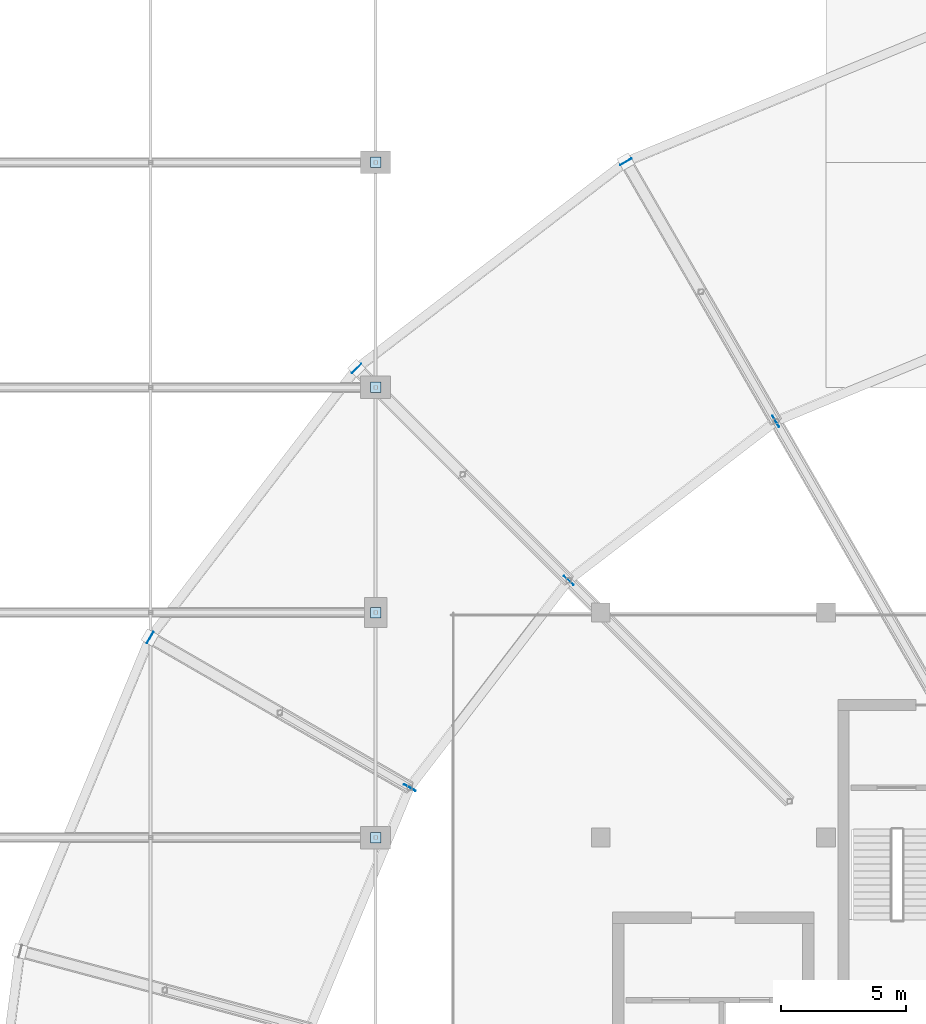
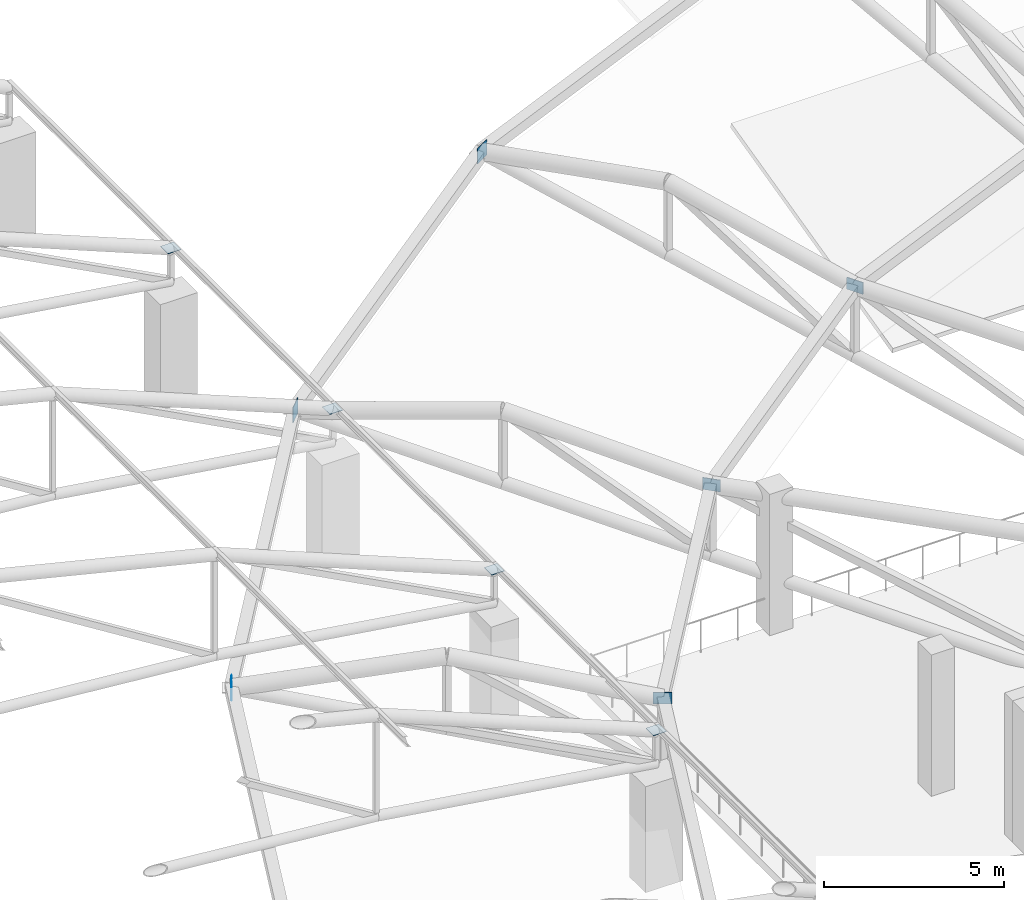
# One storey, part 131 of 167: 10 plates.
"""IFC4 building model written with IfcOpenShell, lengths in metres."""

from ifc_helpers import new_model, si_unit, direction, frame, origin, origin_2d, place, context, subcontext, project, spatial, rectangle, extrude, material, layer, layer_set, type_object, element, save


model = new_model("IFC4")

# Units and contexts
model_context = context("Model", 3, precision=1e-05, world=origin(), true_north=direction((0.0, 1.0)))
body_context = subcontext(model_context, "Body", "Model", "MODEL_VIEW")
ifc_project = project(units=[si_unit("LENGTHUNIT", "METRE"), si_unit("AREAUNIT", "SQUARE_METRE"), si_unit("VOLUMEUNIT", "CUBIC_METRE"), si_unit("PLANEANGLEUNIT", "RADIAN"), si_unit("MASSUNIT", "GRAM", prefix="KILO")], contexts=[model_context])

# Site, building, storey
site_placement = place(None, origin())
site = spatial("IfcSite", under=ifc_project, at=site_placement, CompositionType="ELEMENT")
building_placement = place(site_placement, origin())
building = spatial("IfcBuilding", under=site, at=building_placement, Name="Dornveld Trade and Exhibition Forum", CompositionType="ELEMENT")
storey_placement = place(building_placement, frame((0.0, 0.0, 16.800048828125)))
storey = spatial("IfcBuildingStorey", under=building, at=storey_placement, Name="L03", CompositionType="ELEMENT", Elevation=16.800048828125)

# Plates
ifc_material_1 = material(Name="Steel S355J2", Category="steel")
ifc_layer_1 = layer(ifc_material_1, 0.01611328125)
ifc_layer_set_1 = layer_set([ifc_layer_1], Name="Steel S355J2")
plate_type_1 = type_object("IfcPlateType", Name="PL-CAP-420x16", PredefinedType="SHEET", material=ifc_layer_set_1)
for number, where, z_axis, x_axis, name in (
    (1, (81.0, 99.0, 5.0419921875), (0.0, 0.0, 1.0), (1.0, 0.0, 0.0), "H3 truss 8 hollow end cap 2"),
    (2, (81.0, 108.0, 5.0419921875), (0.0, 0.0, 1.0), (1.0, 0.0, 0.0), "H3 truss 9 hollow end cap 2"),
    (3, (81.0, 117.0, 5.0419921875), (0.0, 0.0, 1.0), (1.0, 0.0, 0.0), "H3 truss 10 hollow end cap 2"),
    (4, (81.0, 126.0, 5.0419921875), (0.0, 0.0, 1.0), (1.0, 0.0, 0.0), "H3 truss 11 hollow end cap 2"),
):
    element("IfcPlate", number, at=place(storey_placement, frame(where, z_axis=z_axis, x_axis=x_axis)), inside=storey, type_object=plate_type_1, Name=name, PredefinedType="SHEET", context=body_context, shape_type="SweptSolid", body=[
        extrude(rectangle(XDim=0.419921875, YDim=0.419921875, at=origin_2d()), origin(), (0.0, 0.0, 1.0), 0.01611328125),
    ])
ifc_material_2 = material(Name="Steel S355J2", Category="steel")
ifc_layer_2 = layer(ifc_material_2, 0.02001953125)
ifc_layer_set_2 = layer_set([ifc_layer_2], Name="Steel S355J2")
plate_type_2 = type_object("IfcPlateType", Name="PL-CAP-520x20", PredefinedType="SHEET", material=ifc_layer_set_2)
for number, where, z_axis, x_axis, name in (
    (5, (91.0048828125, 126.02490234375, 4.5400390625), (0.0, 0.0, 1.0), (-0.5, 0.866025403784, 0.0), "Floating roof disc radial tip cap plate 9"),
    (6, (80.238037109375, 117.761962890625, 4.5400390625), (0.0, 0.0, 1.0), (-0.707106781187, 0.707106781187, 0.0), "Floating roof disc radial tip cap plate 10"),
    (7, (71.97509765625, 106.9951171875, 4.5400390625), (0.0, 0.0, 1.0), (-0.866025403784, 0.5, 0.0), "Floating roof disc radial tip cap plate 11"),
):
    element("IfcPlate", number, at=place(storey_placement, frame(where, z_axis=z_axis, x_axis=x_axis)), inside=storey, type_object=plate_type_2, Name=name, PredefinedType="SHEET", context=body_context, shape_type="SweptSolid", body=[
        extrude(rectangle(XDim=0.02001953125, YDim=0.52001953125, at=origin_2d()), origin(), (0.0, 0.0, 1.0), 0.52001953125),
    ])
ifc_material_3 = material(Name="Steel S355J2", Category="steel")
ifc_layer_3 = layer(ifc_material_3, 0.030029296875)
ifc_layer_set_3 = layer_set([ifc_layer_3], Name="Steel S355J2")
plate_type_3 = type_object("IfcPlateType", Name="PL-NODE-01", PredefinedType="USERDEFINED", material=ifc_layer_set_3)
plate_1_placement = place(storey_placement, frame((97.0, 115.64111328125, 4.25), z_axis=(0.0, 0.0, 1.0), x_axis=(-0.5, 0.866025403784, 0.0)))
element("IfcPlate", 8, at=plate_1_placement, inside=storey, type_object=plate_type_3, Name="Floating disc core-ring gusset 9", ObjectType="GUSSET", PredefinedType="USERDEFINED", context=body_context, shape_type="SweptSolid", body=[
    extrude(rectangle(XDim=0.52001953125, YDim=0.028076171875, at=origin_2d()), origin(), (0.0, 0.0, 1.0), 0.39990234375),
])
ifc_material_4 = material(Name="Steel S355J2", Category="steel")
ifc_layer_4 = layer(ifc_material_4, 0.02587890625)
ifc_layer_set_4 = layer_set([ifc_layer_4], Name="Steel S355J2")
plate_type_4 = type_object("IfcPlateType", Name="PL-NODE-02", PredefinedType="USERDEFINED", material=ifc_layer_set_4)
plate_2_placement = place(storey_placement, frame((88.7158203125, 109.2841796875, 4.25), z_axis=(0.0, 0.0, 1.0), x_axis=(-0.707106781187, 0.707106781187, 0.0)))
element("IfcPlate", 9, at=plate_2_placement, inside=storey, type_object=plate_type_4, Name="Floating disc core-ring gusset 10", ObjectType="GUSSET", PredefinedType="USERDEFINED", context=body_context, shape_type="SweptSolid", body=[
    extrude(rectangle(XDim=0.52001953125, YDim=0.028076171875, at=origin_2d()), origin(), (0.0, 0.0, 1.0), 0.39990234375),
])
ifc_material_5 = material(Name="Steel S355J2", Category="steel")
ifc_layer_5 = layer(ifc_material_5, 0.02392578125)
ifc_layer_set_5 = layer_set([ifc_layer_5], Name="Steel S355J2")
plate_type_5 = type_object("IfcPlateType", Name="PL-NODE-03", PredefinedType="USERDEFINED", material=ifc_layer_set_5)
plate_3_placement = place(storey_placement, frame((82.35888671875, 101.0, 4.25), z_axis=(0.0, 0.0, 1.0), x_axis=(-0.866025403784, 0.5, 0.0)))
element("IfcPlate", 10, at=plate_3_placement, inside=storey, type_object=plate_type_5, Name="Floating disc core-ring gusset 11", ObjectType="GUSSET", PredefinedType="USERDEFINED", context=body_context, shape_type="SweptSolid", body=[
    extrude(rectangle(XDim=0.52001953125, YDim=0.028076171875, at=origin_2d()), origin(), (0.0, 0.0, 1.0), 0.39990234375),
])

save(model, "model.ifc")
